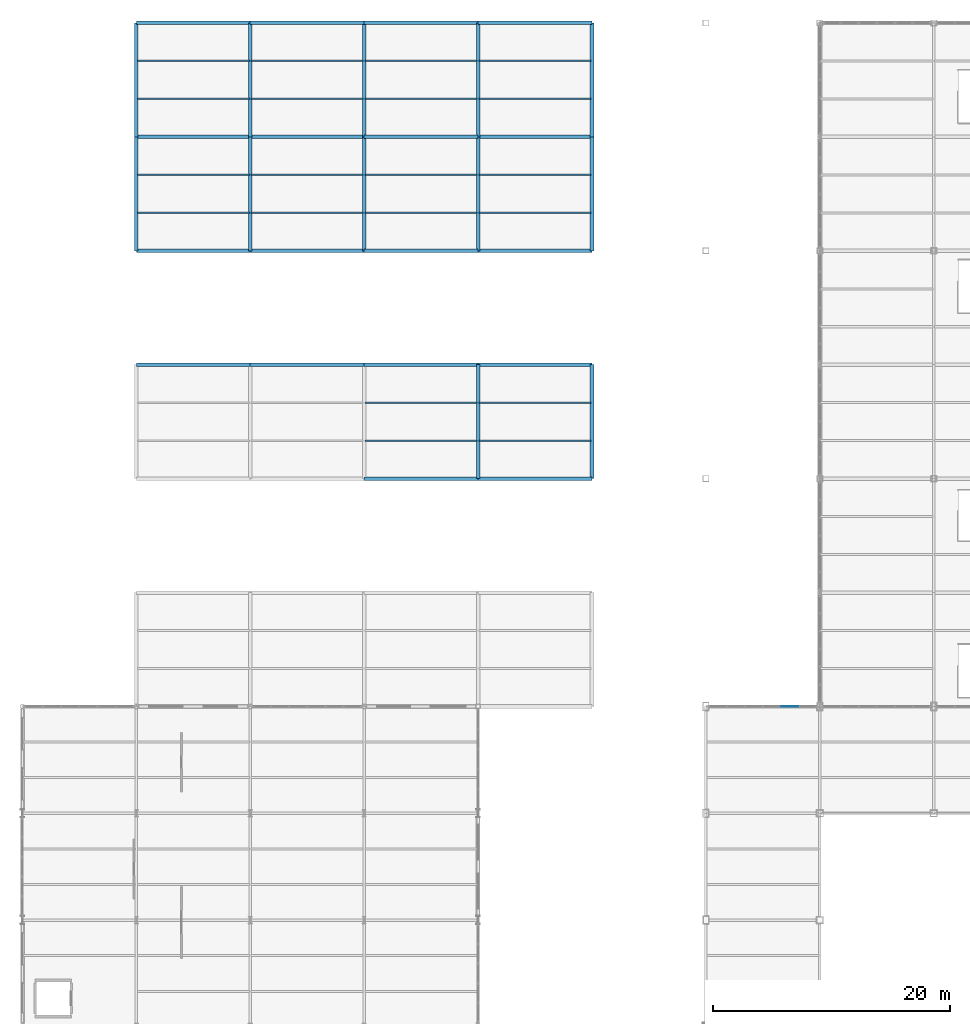
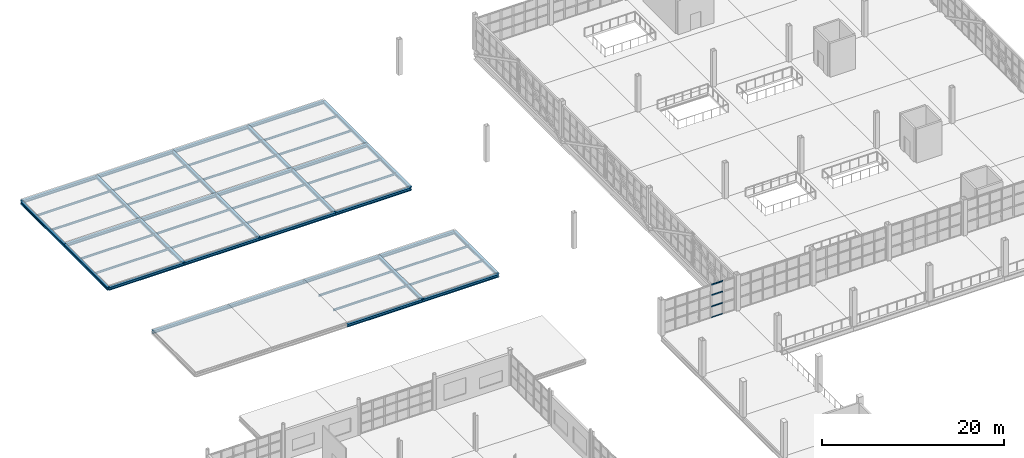
# One storey, part 41 of 120: 50 beams, 4 members, 1 element without a shape of its own.
"""IFC4 building model written with IfcOpenShell, lengths in metres."""

import ifcopenshell
import ifcopenshell.guid

model = None  # the IFC model being written
_history = None  # IfcOwnerHistory: only IFC2X3 demands one
_inside = {}  # id of a spatial element -> (the spatial element, [elements in it])
_under = {}  # id of a project, library or spatial element -> (it, [spatial elements below it])
_declared = {}  # id of a project -> (the project, [libraries it declares])
_typed = {}  # id of a type object -> (the type object, [elements of that type])
_made_of = {}  # id of a material, layer set ... -> (it, [elements and type objects made of it])


def new_model(schema):
    """Start an empty IFC model of exactly this schema.

    Asked for "IFC4X3", IfcOpenShell would pick the latest addendum, in which some entities
    have other attributes; the version numbers below select the first issue.
    IFC2X3 requires an IfcOwnerHistory on every rooted entity: one is made here for all.
    """
    global model, _history
    if schema == "IFC4X3":
        model = ifcopenshell.file(schema_version=(4, 3, 0, 0))
    else:
        model = ifcopenshell.file(schema=schema)
    _inside.clear()
    _under.clear()
    _declared.clear()
    _typed.clear()
    _made_of.clear()
    _history = None
    if model.schema == "IFC2X3":
        org = make("IfcOrganization", Name="unknown")
        user = make(
            "IfcPersonAndOrganization",
            ThePerson=make("IfcPerson", FamilyName="unknown"),
            TheOrganization=org,
        )
        app = make(
            "IfcApplication",
            ApplicationDeveloper=org,
            Version="unknown",
            ApplicationFullName="unknown",
            ApplicationIdentifier="unknown",
        )
        _history = make(
            "IfcOwnerHistory",
            OwningUser=user,
            OwningApplication=app,
            ChangeAction="ADDED",
            CreationDate=0,
        )
    return model


def make(cls, **values):
    """One entity of the class cls with the attributes given. An attribute that is None is left unset."""
    return model.create_entity(
        cls, **{name: value for name, value in values.items() if value is not None}
    )


def rooted(cls, **values):
    """An entity with a GlobalId (a new one), such as an element, a storey or a relation."""
    return make(cls, GlobalId=ifcopenshell.guid.new(), OwnerHistory=_history, **values)


def si_unit(unit_type, name, prefix=None):
    """IfcSIUnit, for example si_unit("LENGTHUNIT", "METRE", prefix="MILLI")."""
    return make("IfcSIUnit", UnitType=unit_type, Prefix=prefix, Name=name)


def assignment(units):
    """IfcUnitAssignment: the units of a project."""
    return None if units is None else make("IfcUnitAssignment", Units=units)


def point(xyz):
    """IfcCartesianPoint."""
    return None if xyz is None else make("IfcCartesianPoint", Coordinates=xyz)


def direction(xyz):
    """IfcDirection."""
    return None if xyz is None else make("IfcDirection", DirectionRatios=xyz)


def frame(location, z_axis=None, x_axis=None):
    """IfcAxis2Placement3D, a coordinate frame: its origin and axes. An axis left out is left unset."""
    return make(
        "IfcAxis2Placement3D",
        Location=point(location),
        Axis=direction(z_axis),
        RefDirection=direction(x_axis),
    )


def frame_2d(location, x_axis=None):
    """IfcAxis2Placement2D, a coordinate frame in the plane: its origin and x axis."""
    return make(
        "IfcAxis2Placement2D", Location=point(location), RefDirection=direction(x_axis)
    )


def origin():
    """The frame at (0, 0, 0) with its axes left unset."""
    return frame((0.0, 0.0, 0.0))


def origin_2d():
    """The frame at (0, 0) in the plane with its x axis left unset."""
    return frame_2d((0.0, 0.0))


def place(relative_to, where):
    """IfcLocalPlacement: puts the frame where relative to a parent placement (None: the world)."""
    return make(
        "IfcLocalPlacement", PlacementRelTo=relative_to, RelativePlacement=where
    )


def context(
    kind, dimensions, precision=None, world=None, true_north=None, identifier=None
):
    """IfcGeometricRepresentationContext, for example the 3D "Model" context."""
    return make(
        "IfcGeometricRepresentationContext",
        ContextIdentifier=identifier,
        ContextType=kind,
        CoordinateSpaceDimension=dimensions,
        Precision=precision,
        WorldCoordinateSystem=world,
        TrueNorth=true_north,
    )


def subcontext(parent, identifier, kind, view, scale=None):
    """IfcGeometricRepresentationSubContext, for example "Body" below "Model"."""
    return make(
        "IfcGeometricRepresentationSubContext",
        ContextIdentifier=identifier,
        ContextType=kind,
        ParentContext=parent,
        TargetScale=scale,
        TargetView=view,
    )


def project(units=None, contexts=None):
    """IfcProject with its units and contexts."""
    return rooted(
        "IfcProject",
        Name="project",
        RepresentationContexts=contexts,
        UnitsInContext=assignment(units),
    )


def spatial(cls, under=None, at=None, **own):
    """A site, building, storey or space (cls), placed at a placement, below another one or the project."""
    s = rooted(cls, ObjectPlacement=at, **own)
    if under is not None:
        _under.setdefault(under.id(), (under, []))[1].append(s)
    return s


def profile(cls, at=None, kind="AREA", **sizes):
    """A parametric profile (cls). Its sizes go by their IFC names, for example OverallWidth=200.0."""
    return make(cls, ProfileType=kind, Position=at, **sizes)


def rectangle(**sizes):
    """IfcRectangleProfileDef."""
    return profile("IfcRectangleProfileDef", **sizes)


def i_section(**sizes):
    """IfcIShapeProfileDef."""
    return profile("IfcIShapeProfileDef", **sizes)


def extrude(swept, where, along, depth):
    """IfcExtrudedAreaSolid: the profile swept, set in the frame where, extruded along a direction by depth."""
    return make(
        "IfcExtrudedAreaSolid",
        SweptArea=swept,
        Position=where,
        ExtrudedDirection=direction(along),
        Depth=depth,
    )


def shape(context_of_items, identifier, shape_type, items):
    """IfcShapeRepresentation: the items that make up one representation, for example the "Body"."""
    return make(
        "IfcShapeRepresentation",
        ContextOfItems=context_of_items,
        RepresentationIdentifier=identifier,
        RepresentationType=shape_type,
        Items=items,
    )


def material(Name=None, Category=None):
    """IfcMaterial."""
    return make("IfcMaterial", Name=Name, Category=Category)


def layer(
    of_material, thickness, ventilated=None, Name=None, Category=None, Priority=None
):
    """IfcMaterialLayer: one layer of a wall or slab, of a material (None: an air gap)."""
    return make(
        "IfcMaterialLayer",
        Material=of_material,
        LayerThickness=thickness,
        IsVentilated=ventilated,
        Name=Name,
        Category=Category,
        Priority=Priority,
    )


def layer_set(layers, Name=None):
    """IfcMaterialLayerSet."""
    return make("IfcMaterialLayerSet", MaterialLayers=layers, LayerSetName=Name)


def material_profile(
    of_material, cross_section, Name=None, Category=None, Priority=None
):
    """IfcMaterialProfile: a cross section and its material."""
    return make(
        "IfcMaterialProfile",
        Name=Name,
        Material=of_material,
        Profile=cross_section,
        Priority=Priority,
        Category=Category,
    )


def profile_set(profiles, Name=None, composite=None):
    """IfcMaterialProfileSet."""
    return make(
        "IfcMaterialProfileSet",
        Name=Name,
        MaterialProfiles=profiles,
        CompositeProfile=composite,
    )


def made_of(thing, what):
    """Note that an element or type object is made of a material, layer set ...; save() writes the relation."""
    if what is not None:
        _made_of.setdefault(what.id(), (what, []))[1].append(thing)
    return thing


def type_object(cls, material=None, **own):
    """A type object (cls), such as IfcWallType, which elements share."""
    return made_of(rooted(cls, **own), material)


def element(
    cls,
    number,
    at=None,
    inside=None,
    cuts=None,
    type_object=None,
    material=None,
    context=None,
    identifier="Body",
    shape_type=None,
    held_by="IfcProductDefinitionShape",
    body=None,
    shapes=None,
    **own,
):
    """One element of the class cls, such as IfcWall. Its Tag is "e" and its number.

    at: its placement. inside: the storey or other place that contains it. cuts: it is an
    opening in that element (IfcRelVoidsElement). A single representation is given by context,
    identifier, shape_type and body (its items); several are given by shapes. held_by: the class
    of the entity that holds the representations. save() writes the other relations.
    """
    e = rooted(cls, Tag="e%d" % number, ObjectPlacement=at, **own)
    if body is not None:
        shapes = [shape(context, identifier, shape_type, body)]
    if shapes is not None:
        e.Representation = make(held_by, Representations=shapes)
    if inside is not None:
        _inside.setdefault(inside.id(), (inside, []))[1].append(e)
    if cuts is not None:
        rooted(
            "IfcRelVoidsElement", RelatingBuildingElement=cuts, RelatedOpeningElement=e
        )
    if type_object is not None:
        _typed.setdefault(type_object.id(), (type_object, []))[1].append(e)
    return made_of(e, material)


def aggregate(whole, parts):
    """IfcRelAggregates: a whole, such as a stair, and the parts it consists of."""
    return rooted("IfcRelAggregates", RelatingObject=whole, RelatedObjects=parts)


def save(model, path):
    """Write the relations noted so far, then the file.

    IfcRelAggregates (storeys below a building ...), IfcRelContainedInSpatialStructure (elements
    in a storey), IfcRelDefinesByType, IfcRelAssociatesMaterial and IfcRelDeclares: one each for
    every whole, place, type object, material and project.
    """
    for whole, parts in _under.values():
        aggregate(whole, parts)
    for where, things in _inside.values():
        rooted(
            "IfcRelContainedInSpatialStructure",
            RelatedElements=things,
            RelatingStructure=where,
        )
    for kind, things in _typed.values():
        rooted("IfcRelDefinesByType", RelatedObjects=things, RelatingType=kind)
    for what, things in _made_of.values():
        rooted("IfcRelAssociatesMaterial", RelatedObjects=things, RelatingMaterial=what)
    for by, libraries in _declared.values():
        rooted("IfcRelDeclares", RelatingContext=by, RelatedDefinitions=libraries)
    model.write(path)


model = new_model("IFC4")

# Units and contexts
model_context = context("Model", 3, precision=1e-05, world=origin(), true_north=direction((0.0, 1.0)))
body_context = subcontext(model_context, "Body", "Model", "MODEL_VIEW")
ifc_project = project(units=[si_unit("LENGTHUNIT", "METRE"), si_unit("AREAUNIT", "SQUARE_METRE"), si_unit("VOLUMEUNIT", "CUBIC_METRE"), si_unit("PLANEANGLEUNIT", "RADIAN"), si_unit("MASSUNIT", "GRAM", prefix="KILO")], contexts=[model_context])

# Site, building, storey
site_placement = place(None, origin())
site = spatial("IfcSite", under=ifc_project, at=site_placement, CompositionType="ELEMENT")
building_placement = place(site_placement, origin())
building = spatial("IfcBuilding", under=site, at=building_placement, Name="Zarnetskaya Central Station", CompositionType="ELEMENT")
storey_placement = place(building_placement, frame((0.0, 0.0, 5.39990234375)))
storey = spatial("IfcBuildingStorey", under=building, at=storey_placement, Name="L01", CompositionType="ELEMENT", Elevation=5.39990234375)

# Beams
ifc_material_1 = material(Name="Steel S355", Category="steel")
ifc_material_profile_1 = material_profile(ifc_material_1, i_section(OverallWidth=0.135009765625, OverallDepth=0.27001953125, WebThickness=0.006591796875, FlangeThickness=0.01025390625, FilletRadius=0.014892578125, at=origin_2d()), Name="IPE 270")
ifc_profile_set_1 = profile_set([ifc_material_profile_1], Name="Steel S355")
beam_type_1 = type_object("IfcBeamType", Name="BM-JST-270", PredefinedType="JOIST", material=ifc_profile_set_1)
for number, where, z_axis, x_axis, name in (
    (1, (9.679931640625, 108.800048828125, -0.294921875), (1.0, 0.0, 0.0), (0.0, 1.0, 0.0), "Secondary floor beam SEC-L01-Z524-BC-1314-1"),
    (2, (9.679931640625, 112.0, -0.294921875), (1.0, 0.0, 0.0), (0.0, 1.0, 0.0), "Secondary floor beam SEC-L01-Z524-BC-1314-2"),
    (3, (9.679931640625, 118.39990234375, -0.294921875), (1.0, 0.0, 0.0), (0.0, 1.0, 0.0), "Secondary floor beam SEC-L01-Z524-BC-1415-1"),
    (4, (9.679931640625, 121.60009765625, -0.294921875), (1.0, 0.0, 0.0), (0.0, 1.0, 0.0), "Secondary floor beam SEC-L01-Z524-BC-1415-2"),
):
    element("IfcBeam", number, at=place(storey_placement, frame(where, z_axis=z_axis, x_axis=x_axis)), inside=storey, type_object=beam_type_1, Name=name, PredefinedType="JOIST", context=body_context, shape_type="SweptSolid", body=[
        extrude(i_section(OverallWidth=0.135009765625, OverallDepth=0.27001953125, WebThickness=0.006591796875, FlangeThickness=0.01025390625, FilletRadius=0.014892578125, at=origin_2d()), origin(), (0.0, 0.0, 1.0), 9.440185546875),
    ])
for number, where, z_axis, x_axis, name in (
    (5, (19.280029296875, 108.800048828125, -0.294921875), (1.0, 0.0, 0.0), (0.0, 1.0, 0.0), "Secondary floor beam SEC-L01-Z524-CD-1314-1"),
    (6, (19.280029296875, 112.0, -0.294921875), (1.0, 0.0, 0.0), (0.0, 1.0, 0.0), "Secondary floor beam SEC-L01-Z524-CD-1314-2"),
    (7, (19.280029296875, 118.39990234375, -0.294921875), (1.0, 0.0, 0.0), (0.0, 1.0, 0.0), "Secondary floor beam SEC-L01-Z524-CD-1415-1"),
    (8, (19.280029296875, 121.60009765625, -0.294921875), (1.0, 0.0, 0.0), (0.0, 1.0, 0.0), "Secondary floor beam SEC-L01-Z524-CD-1415-2"),
):
    element("IfcBeam", number, at=place(storey_placement, frame(where, z_axis=z_axis, x_axis=x_axis)), inside=storey, type_object=beam_type_1, Name=name, PredefinedType="JOIST", context=body_context, shape_type="SweptSolid", body=[
        extrude(i_section(OverallWidth=0.135009765625, OverallDepth=0.27001953125, WebThickness=0.006591796875, FlangeThickness=0.01025390625, FilletRadius=0.014892578125, at=origin_2d()), origin(), (0.0, 0.0, 1.0), 9.43994140625),
    ])
for number, where, z_axis, x_axis, name in (
    (9, (28.8798828125, 89.60009765625, -0.294921875), (1.0, 0.0, 0.0), (0.0, 1.0, 0.0), "Secondary floor beam SEC-L01-Z524-DE-1112-1"),
    (10, (28.8798828125, 92.800048828125, -0.294921875), (1.0, 0.0, 0.0), (0.0, 1.0, 0.0), "Secondary floor beam SEC-L01-Z524-DE-1112-2"),
    (11, (28.8798828125, 108.800048828125, -0.294921875), (1.0, 0.0, 0.0), (0.0, 1.0, 0.0), "Secondary floor beam SEC-L01-Z524-DE-1314-1"),
    (12, (28.8798828125, 112.0, -0.294921875), (1.0, 0.0, 0.0), (0.0, 1.0, 0.0), "Secondary floor beam SEC-L01-Z524-DE-1314-2"),
    (13, (28.8798828125, 118.39990234375, -0.294921875), (1.0, 0.0, 0.0), (0.0, 1.0, 0.0), "Secondary floor beam SEC-L01-Z524-DE-1415-1"),
    (14, (28.8798828125, 121.60009765625, -0.294921875), (1.0, 0.0, 0.0), (0.0, 1.0, 0.0), "Secondary floor beam SEC-L01-Z524-DE-1415-2"),
):
    element("IfcBeam", number, at=place(storey_placement, frame(where, z_axis=z_axis, x_axis=x_axis)), inside=storey, type_object=beam_type_1, Name=name, PredefinedType="JOIST", context=body_context, shape_type="SweptSolid", body=[
        extrude(i_section(OverallWidth=0.135009765625, OverallDepth=0.27001953125, WebThickness=0.006591796875, FlangeThickness=0.01025390625, FilletRadius=0.014892578125, at=origin_2d()), origin(), (0.0, 0.0, 1.0), 9.440185546875),
    ])
for number, where, z_axis, x_axis, name in (
    (15, (38.47998046875, 89.60009765625, -0.294921875), (1.0, 0.0, 0.0), (0.0, 1.0, 0.0), "Secondary floor beam SEC-L01-Z524-EF-1112-1"),
    (16, (38.47998046875, 92.800048828125, -0.294921875), (1.0, 0.0, 0.0), (0.0, 1.0, 0.0), "Secondary floor beam SEC-L01-Z524-EF-1112-2"),
    (17, (38.47998046875, 108.800048828125, -0.294921875), (1.0, 0.0, 0.0), (0.0, 1.0, 0.0), "Secondary floor beam SEC-L01-Z524-EF-1314-1"),
    (18, (38.47998046875, 112.0, -0.294921875), (1.0, 0.0, 0.0), (0.0, 1.0, 0.0), "Secondary floor beam SEC-L01-Z524-EF-1314-2"),
    (19, (38.47998046875, 118.39990234375, -0.294921875), (1.0, 0.0, 0.0), (0.0, 1.0, 0.0), "Secondary floor beam SEC-L01-Z524-EF-1415-1"),
    (20, (38.47998046875, 121.60009765625, -0.294921875), (1.0, 0.0, 0.0), (0.0, 1.0, 0.0), "Secondary floor beam SEC-L01-Z524-EF-1415-2"),
):
    element("IfcBeam", number, at=place(storey_placement, frame(where, z_axis=z_axis, x_axis=x_axis)), inside=storey, type_object=beam_type_1, Name=name, PredefinedType="JOIST", context=body_context, shape_type="SweptSolid", body=[
        extrude(i_section(OverallWidth=0.135009765625, OverallDepth=0.27001953125, WebThickness=0.006591796875, FlangeThickness=0.01025390625, FilletRadius=0.014892578125, at=origin_2d()), origin(), (0.0, 0.0, 1.0), 9.43994140625),
    ])

# Curtain wall, members
ifc_material_2 = material(Name="Low-E insulated glass", Category="glass")
ifc_layer = layer(ifc_material_2, 0.159912109375, Name="Low-E insulated glass", Category="glass")
ifc_layer_set = layer_set([ifc_layer], Name="Low-E insulated glass")
curtain_wall_type = type_object("IfcCurtainWallType", Name="CW-SYS-11", PredefinedType="USERDEFINED", material=ifc_layer_set)
curtain_wall_placement = place(storey_placement, origin())
curtain_wall = element("IfcCurtainWall", 21, at=curtain_wall_placement, inside=storey, type_object=curtain_wall_type, Name="Curtain wall CW-L01-075", ObjectType="CURTAIN WALL", PredefinedType="USERDEFINED")
ifc_material_3 = material(Name="Anodised aluminium", Category="aluminium")
ifc_material_profile_2 = material_profile(ifc_material_3, rectangle(XDim=0.070068359375, YDim=0.139892578125, at=origin_2d()), Name="ALU TRAN 70x140")
ifc_profile_set_2 = profile_set([ifc_material_profile_2], Name="Anodised aluminium")
member_type = type_object("IfcMemberType", Name="CW-TRAN-140", PredefinedType="USERDEFINED", material=ifc_profile_set_2)
member_1_placement = place(storey_placement, frame((63.95166015625, 67.199951171875, 0.03515625), z_axis=(1.0, 0.0, 0.0), x_axis=(0.0, 1.0, 0.0)))
member_1 = element("IfcMember", 22, at=member_1_placement, type_object=member_type, Name="CW-09 transom 5.1", ObjectType="TRANSOM", PredefinedType="USERDEFINED", context=body_context, shape_type="SweptSolid", body=[
    extrude(rectangle(XDim=0.070068359375, YDim=0.139892578125, at=origin_2d()), origin(), (0.0, 0.0, 1.0), 1.44677734375),
])
member_2_placement = place(storey_placement, frame((63.95166015625, 67.199951171875, 1.51318359375), z_axis=(1.0, 0.0, 0.0), x_axis=(0.0, 1.0, 0.0)))
member_2 = element("IfcMember", 23, at=member_2_placement, type_object=member_type, Name="CW-09 transom 5.2", ObjectType="TRANSOM", PredefinedType="USERDEFINED", context=body_context, shape_type="SweptSolid", body=[
    extrude(rectangle(XDim=0.070068359375, YDim=0.139892578125, at=origin_2d()), origin(), (0.0, 0.0, 1.0), 1.44677734375),
])
member_3_placement = place(storey_placement, frame((63.95166015625, 67.199951171875, 3.026123046875), z_axis=(1.0, 0.0, 0.0), x_axis=(0.0, 1.0, 0.0)))
member_3 = element("IfcMember", 24, at=member_3_placement, type_object=member_type, Name="CW-09 transom 5.3", ObjectType="TRANSOM", PredefinedType="USERDEFINED", context=body_context, shape_type="SweptSolid", body=[
    extrude(rectangle(XDim=0.070068359375, YDim=0.139892578125, at=origin_2d()), origin(), (0.0, 0.0, 1.0), 1.44677734375),
])
member_4_placement = place(storey_placement, frame((63.95166015625, 67.199951171875, 4.4150390625), z_axis=(1.0, 0.0, 0.0), x_axis=(0.0, 1.0, 0.0)))
member_4 = element("IfcMember", 25, at=member_4_placement, type_object=member_type, Name="CW-09 transom 5.4", ObjectType="TRANSOM", PredefinedType="USERDEFINED", context=body_context, shape_type="SweptSolid", body=[
    extrude(rectangle(XDim=0.070068359375, YDim=0.139892578125, at=origin_2d()), origin(), (0.0, 0.0, 1.0), 1.44677734375),
])
aggregate(curtain_wall, [member_1, member_2, member_3, member_4])

# Beams
ifc_material_profile_3 = material_profile(ifc_material_1, i_section(OverallWidth=0.300048828125, OverallDepth=0.389892578125, WebThickness=0.010986328125, FlangeThickness=0.01904296875, FilletRadius=0.027099609375, at=origin_2d()), Name="HEA 400")
ifc_profile_set_3 = profile_set([ifc_material_profile_3], Name="Steel S355")
beam_type_2 = type_object("IfcBeamType", Name="GD-ROOF-400", PredefinedType="USERDEFINED", material=ifc_profile_set_3)
for number, where, z_axis, x_axis, name in (
    (26, (9.60009765625, 96.0, -0.35498046875), (1.0, 0.0, 0.0), (0.0, 1.0, 0.0), "Grid girder GX-L01-12-BC"),
    (27, (9.60009765625, 105.60009765625, -0.35498046875), (0.0, 1.0, 0.0), (-1.0, 0.0, 0.0), "Grid girder GY-L01-B-1314"),
    (28, (9.60009765625, 105.60009765625, -0.35498046875), (1.0, 0.0, 0.0), (0.0, 1.0, 0.0), "Grid girder GX-L01-13-BC"),
):
    element("IfcBeam", number, at=place(storey_placement, frame(where, z_axis=z_axis, x_axis=x_axis)), inside=storey, type_object=beam_type_2, Name=name, ObjectType="GIRDER", PredefinedType="USERDEFINED", context=body_context, shape_type="SweptSolid", body=[
        extrude(i_section(OverallWidth=0.300048828125, OverallDepth=0.389892578125, WebThickness=0.010986328125, FlangeThickness=0.01904296875, FilletRadius=0.027099609375, at=origin_2d()), origin(), (0.0, 0.0, 1.0), 9.599853515625),
    ])
beam_1_placement = place(storey_placement, frame((9.60009765625, 115.199951171875, -0.35498046875), z_axis=(0.0, 1.0, 0.0), x_axis=(-1.0, 0.0, 0.0)))
element("IfcBeam", 29, at=beam_1_placement, inside=storey, type_object=beam_type_2, Name="Grid girder GY-L01-B-1415", ObjectType="GIRDER", PredefinedType="USERDEFINED", context=body_context, shape_type="SweptSolid", body=[
    extrude(i_section(OverallWidth=0.300048828125, OverallDepth=0.389892578125, WebThickness=0.010986328125, FlangeThickness=0.01904296875, FilletRadius=0.027099609375, at=origin_2d()), origin(), (0.0, 0.0, 1.0), 9.60009765625),
])
for number, where, z_axis, x_axis, name in (
    (30, (9.60009765625, 115.199951171875, -0.35498046875), (1.0, 0.0, 0.0), (0.0, 1.0, 0.0), "Grid girder GX-L01-14-BC"),
    (31, (9.60009765625, 124.800048828125, -0.35498046875), (1.0, 0.0, 0.0), (0.0, 1.0, 0.0), "Grid girder GX-L01-15-BC"),
):
    element("IfcBeam", number, at=place(storey_placement, frame(where, z_axis=z_axis, x_axis=x_axis)), inside=storey, type_object=beam_type_2, Name=name, ObjectType="GIRDER", PredefinedType="USERDEFINED", context=body_context, shape_type="SweptSolid", body=[
        extrude(i_section(OverallWidth=0.300048828125, OverallDepth=0.389892578125, WebThickness=0.010986328125, FlangeThickness=0.01904296875, FilletRadius=0.027099609375, at=origin_2d()), origin(), (0.0, 0.0, 1.0), 9.599853515625),
    ])
beam_2_placement = place(storey_placement, frame((19.199951171875, 96.0, -0.35498046875), z_axis=(1.0, 0.0, 0.0), x_axis=(0.0, 1.0, 0.0)))
element("IfcBeam", 32, at=beam_2_placement, inside=storey, type_object=beam_type_2, Name="Grid girder GX-L01-12-CD", ObjectType="GIRDER", PredefinedType="USERDEFINED", context=body_context, shape_type="SweptSolid", body=[
    extrude(i_section(OverallWidth=0.300048828125, OverallDepth=0.389892578125, WebThickness=0.010986328125, FlangeThickness=0.01904296875, FilletRadius=0.027099609375, at=origin_2d()), origin(), (0.0, 0.0, 1.0), 9.60009765625),
])
beam_3_placement = place(storey_placement, frame((19.199951171875, 105.60009765625, -0.35498046875), z_axis=(0.0, 1.0, 0.0), x_axis=(-1.0, 0.0, 0.0)))
element("IfcBeam", 33, at=beam_3_placement, inside=storey, type_object=beam_type_2, Name="Grid girder GY-L01-C-1314", ObjectType="GIRDER", PredefinedType="USERDEFINED", context=body_context, shape_type="SweptSolid", body=[
    extrude(i_section(OverallWidth=0.300048828125, OverallDepth=0.389892578125, WebThickness=0.010986328125, FlangeThickness=0.01904296875, FilletRadius=0.027099609375, at=origin_2d()), origin(), (0.0, 0.0, 1.0), 9.599853515625),
])
for number, where, z_axis, x_axis, name in (
    (34, (19.199951171875, 105.60009765625, -0.35498046875), (1.0, 0.0, 0.0), (0.0, 1.0, 0.0), "Grid girder GX-L01-13-CD"),
    (35, (19.199951171875, 115.199951171875, -0.35498046875), (0.0, 1.0, 0.0), (-1.0, 0.0, 0.0), "Grid girder GY-L01-C-1415"),
    (36, (19.199951171875, 115.199951171875, -0.35498046875), (1.0, 0.0, 0.0), (0.0, 1.0, 0.0), "Grid girder GX-L01-14-CD"),
    (37, (19.199951171875, 124.800048828125, -0.35498046875), (1.0, 0.0, 0.0), (0.0, 1.0, 0.0), "Grid girder GX-L01-15-CD"),
):
    element("IfcBeam", number, at=place(storey_placement, frame(where, z_axis=z_axis, x_axis=x_axis)), inside=storey, type_object=beam_type_2, Name=name, ObjectType="GIRDER", PredefinedType="USERDEFINED", context=body_context, shape_type="SweptSolid", body=[
        extrude(i_section(OverallWidth=0.300048828125, OverallDepth=0.389892578125, WebThickness=0.010986328125, FlangeThickness=0.01904296875, FilletRadius=0.027099609375, at=origin_2d()), origin(), (0.0, 0.0, 1.0), 9.60009765625),
    ])
for number, where, z_axis, x_axis, name in (
    (38, (28.800048828125, 86.39990234375, -0.35498046875), (1.0, 0.0, 0.0), (0.0, 1.0, 0.0), "Grid girder GX-L01-11-DE"),
    (39, (28.800048828125, 96.0, -0.35498046875), (1.0, 0.0, 0.0), (0.0, 1.0, 0.0), "Grid girder GX-L01-12-DE"),
    (40, (28.800048828125, 105.60009765625, -0.35498046875), (0.0, 1.0, 0.0), (-1.0, 0.0, 0.0), "Grid girder GY-L01-D-1314"),
    (41, (28.800048828125, 105.60009765625, -0.35498046875), (1.0, 0.0, 0.0), (0.0, 1.0, 0.0), "Grid girder GX-L01-13-DE"),
):
    element("IfcBeam", number, at=place(storey_placement, frame(where, z_axis=z_axis, x_axis=x_axis)), inside=storey, type_object=beam_type_2, Name=name, ObjectType="GIRDER", PredefinedType="USERDEFINED", context=body_context, shape_type="SweptSolid", body=[
        extrude(i_section(OverallWidth=0.300048828125, OverallDepth=0.389892578125, WebThickness=0.010986328125, FlangeThickness=0.01904296875, FilletRadius=0.027099609375, at=origin_2d()), origin(), (0.0, 0.0, 1.0), 9.599853515625),
    ])
beam_4_placement = place(storey_placement, frame((28.800048828125, 115.199951171875, -0.35498046875), z_axis=(0.0, 1.0, 0.0), x_axis=(-1.0, 0.0, 0.0)))
element("IfcBeam", 42, at=beam_4_placement, inside=storey, type_object=beam_type_2, Name="Grid girder GY-L01-D-1415", ObjectType="GIRDER", PredefinedType="USERDEFINED", context=body_context, shape_type="SweptSolid", body=[
    extrude(i_section(OverallWidth=0.300048828125, OverallDepth=0.389892578125, WebThickness=0.010986328125, FlangeThickness=0.01904296875, FilletRadius=0.027099609375, at=origin_2d()), origin(), (0.0, 0.0, 1.0), 9.60009765625),
])
for number, where, z_axis, x_axis, name in (
    (43, (28.800048828125, 115.199951171875, -0.35498046875), (1.0, 0.0, 0.0), (0.0, 1.0, 0.0), "Grid girder GX-L01-14-DE"),
    (44, (28.800048828125, 124.800048828125, -0.35498046875), (1.0, 0.0, 0.0), (0.0, 1.0, 0.0), "Grid girder GX-L01-15-DE"),
):
    element("IfcBeam", number, at=place(storey_placement, frame(where, z_axis=z_axis, x_axis=x_axis)), inside=storey, type_object=beam_type_2, Name=name, ObjectType="GIRDER", PredefinedType="USERDEFINED", context=body_context, shape_type="SweptSolid", body=[
        extrude(i_section(OverallWidth=0.300048828125, OverallDepth=0.389892578125, WebThickness=0.010986328125, FlangeThickness=0.01904296875, FilletRadius=0.027099609375, at=origin_2d()), origin(), (0.0, 0.0, 1.0), 9.599853515625),
    ])
for number, where, z_axis, x_axis, name in (
    (45, (38.39990234375, 86.39990234375, -0.35498046875), (0.0, 1.0, 0.0), (-1.0, 0.0, 0.0), "Grid girder GY-L01-E-1112"),
    (46, (38.39990234375, 86.39990234375, -0.35498046875), (1.0, 0.0, 0.0), (0.0, 1.0, 0.0), "Grid girder GX-L01-11-EF"),
    (47, (38.39990234375, 96.0, -0.35498046875), (1.0, 0.0, 0.0), (0.0, 1.0, 0.0), "Grid girder GX-L01-12-EF"),
):
    element("IfcBeam", number, at=place(storey_placement, frame(where, z_axis=z_axis, x_axis=x_axis)), inside=storey, type_object=beam_type_2, Name=name, ObjectType="GIRDER", PredefinedType="USERDEFINED", context=body_context, shape_type="SweptSolid", body=[
        extrude(i_section(OverallWidth=0.300048828125, OverallDepth=0.389892578125, WebThickness=0.010986328125, FlangeThickness=0.01904296875, FilletRadius=0.027099609375, at=origin_2d()), origin(), (0.0, 0.0, 1.0), 9.60009765625),
    ])
beam_5_placement = place(storey_placement, frame((38.39990234375, 105.60009765625, -0.35498046875), z_axis=(0.0, 1.0, 0.0), x_axis=(-1.0, 0.0, 0.0)))
element("IfcBeam", 48, at=beam_5_placement, inside=storey, type_object=beam_type_2, Name="Grid girder GY-L01-E-1314", ObjectType="GIRDER", PredefinedType="USERDEFINED", context=body_context, shape_type="SweptSolid", body=[
    extrude(i_section(OverallWidth=0.300048828125, OverallDepth=0.389892578125, WebThickness=0.010986328125, FlangeThickness=0.01904296875, FilletRadius=0.027099609375, at=origin_2d()), origin(), (0.0, 0.0, 1.0), 9.599853515625),
])
for number, where, z_axis, x_axis, name in (
    (49, (38.39990234375, 105.60009765625, -0.35498046875), (1.0, 0.0, 0.0), (0.0, 1.0, 0.0), "Grid girder GX-L01-13-EF"),
    (50, (38.39990234375, 115.199951171875, -0.35498046875), (0.0, 1.0, 0.0), (-1.0, 0.0, 0.0), "Grid girder GY-L01-E-1415"),
    (51, (38.39990234375, 115.199951171875, -0.35498046875), (1.0, 0.0, 0.0), (0.0, 1.0, 0.0), "Grid girder GX-L01-14-EF"),
    (52, (38.39990234375, 124.800048828125, -0.35498046875), (1.0, 0.0, 0.0), (0.0, 1.0, 0.0), "Grid girder GX-L01-15-EF"),
    (53, (48.0, 86.39990234375, -0.35498046875), (0.0, 1.0, 0.0), (-1.0, 0.0, 0.0), "Grid girder GY-L01-F-1112"),
):
    element("IfcBeam", number, at=place(storey_placement, frame(where, z_axis=z_axis, x_axis=x_axis)), inside=storey, type_object=beam_type_2, Name=name, ObjectType="GIRDER", PredefinedType="USERDEFINED", context=body_context, shape_type="SweptSolid", body=[
        extrude(i_section(OverallWidth=0.300048828125, OverallDepth=0.389892578125, WebThickness=0.010986328125, FlangeThickness=0.01904296875, FilletRadius=0.027099609375, at=origin_2d()), origin(), (0.0, 0.0, 1.0), 9.60009765625),
    ])
beam_6_placement = place(storey_placement, frame((48.0, 105.60009765625, -0.35498046875), z_axis=(0.0, 1.0, 0.0), x_axis=(-1.0, 0.0, 0.0)))
element("IfcBeam", 54, at=beam_6_placement, inside=storey, type_object=beam_type_2, Name="Grid girder GY-L01-F-1314", ObjectType="GIRDER", PredefinedType="USERDEFINED", context=body_context, shape_type="SweptSolid", body=[
    extrude(i_section(OverallWidth=0.300048828125, OverallDepth=0.389892578125, WebThickness=0.010986328125, FlangeThickness=0.01904296875, FilletRadius=0.027099609375, at=origin_2d()), origin(), (0.0, 0.0, 1.0), 9.599853515625),
])
beam_7_placement = place(storey_placement, frame((48.0, 115.199951171875, -0.35498046875), z_axis=(0.0, 1.0, 0.0), x_axis=(-1.0, 0.0, 0.0)))
element("IfcBeam", 55, at=beam_7_placement, inside=storey, type_object=beam_type_2, Name="Grid girder GY-L01-F-1415", ObjectType="GIRDER", PredefinedType="USERDEFINED", context=body_context, shape_type="SweptSolid", body=[
    extrude(i_section(OverallWidth=0.300048828125, OverallDepth=0.389892578125, WebThickness=0.010986328125, FlangeThickness=0.01904296875, FilletRadius=0.027099609375, at=origin_2d()), origin(), (0.0, 0.0, 1.0), 9.60009765625),
])

save(model, "model.ifc")
